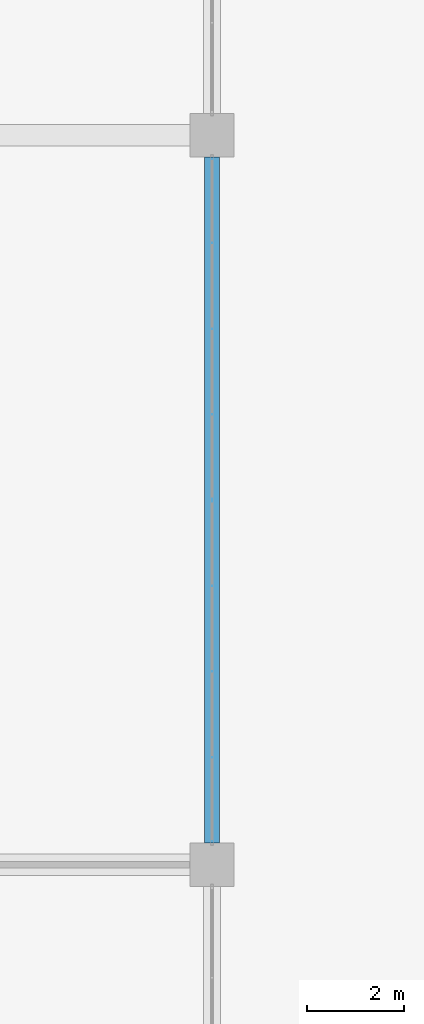
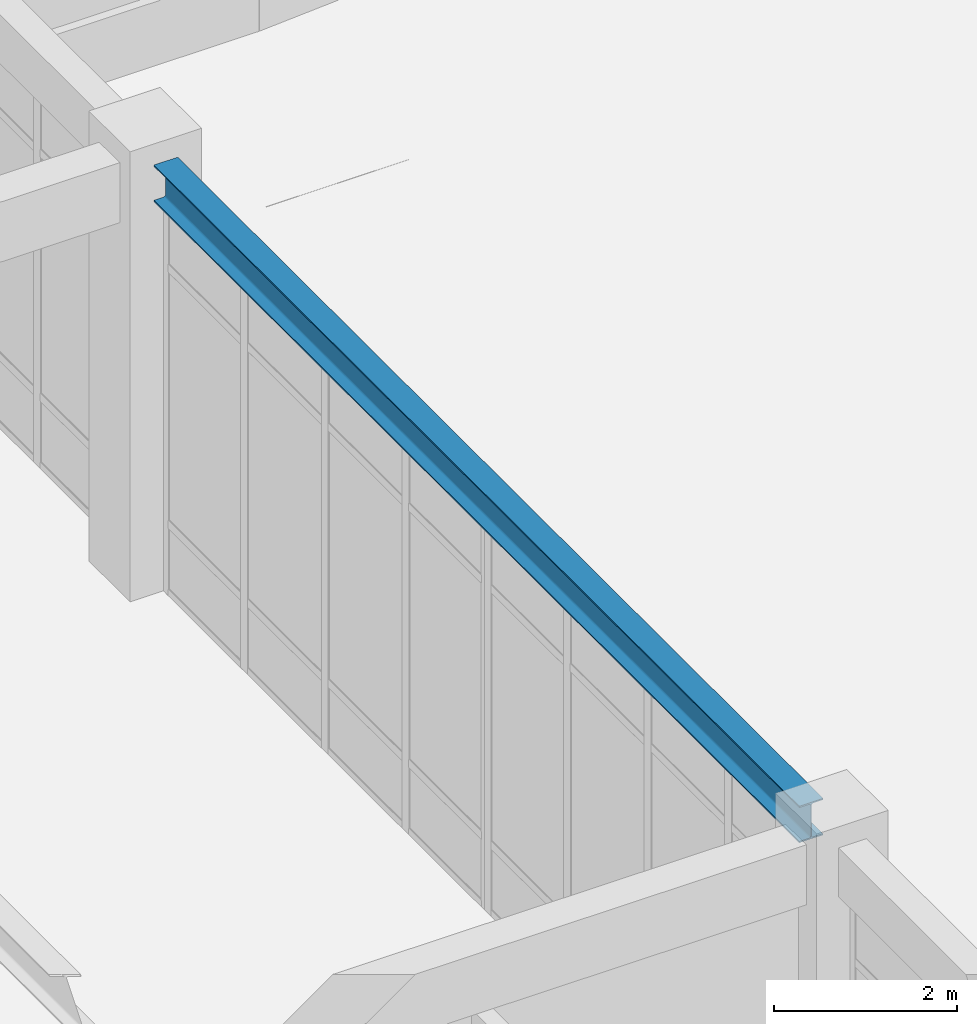
# One storey, part 39 of 82: 1 beam.
"""IFC4 building model written with IfcOpenShell, lengths in metres."""

from ifc_helpers import new_model, si_unit, derived_unit, direction, frame, origin, origin_2d, place, context, subcontext, project, spatial, i_section, extrude, material, material_profile, profile_set, type_object, element, save


model = new_model("IFC4")

# Units and contexts
model_context = context("Model", 3, precision=1e-05, world=origin(), true_north=direction((0.0, 1.0)))
body_context = subcontext(model_context, "Body", "Model", "MODEL_VIEW")
ifc_project = project(units=[si_unit("LENGTHUNIT", "METRE"), si_unit("AREAUNIT", "SQUARE_METRE"), si_unit("VOLUMEUNIT", "CUBIC_METRE"), si_unit("PLANEANGLEUNIT", "RADIAN"), si_unit("MASSUNIT", "GRAM", prefix="KILO"), derived_unit("THERMALTRANSMITTANCEUNIT", [(si_unit("MASSUNIT", "GRAM", prefix="KILO"), 1), (si_unit("TIMEUNIT", "SECOND"), -3), (si_unit("THERMODYNAMICTEMPERATUREUNIT", "KELVIN"), -1)])], contexts=[model_context])

# Site, building, storey
site_placement = place(None, origin())
site = spatial("IfcSite", under=ifc_project, at=site_placement, CompositionType="ELEMENT")
building_placement = place(site_placement, origin())
building = spatial("IfcBuilding", under=site, at=building_placement, Name="Qinzheling Arcade Emporium", CompositionType="ELEMENT")
storey_placement = place(building_placement, origin())
storey = spatial("IfcBuildingStorey", under=building, at=storey_placement, Name="L01", CompositionType="ELEMENT", Elevation=0.0)

# Beam
ifc_material = material(Name="Structural steel Q355B", Category="steel")
ifc_material_profile = material_profile(ifc_material, i_section(OverallWidth=0.300048828125, OverallDepth=0.488037109375, WebThickness=0.010986328125, FlangeThickness=0.01806640625, FilletRadius=0.02197265625, at=origin_2d()), Name="HM 488x300x11x18", Category="steel")
ifc_profile_set = profile_set([ifc_material_profile], Name="Structural steel Q355B")
beam_type = type_object("IfcBeamType", Name="Atrium Bridge Girder HM488 Q355B", PredefinedType="USERDEFINED", material=ifc_profile_set)
beam_placement = place(storey_placement, frame((130.5, 50.85009765625, 5.47607421875), z_axis=(0.0, 1.0, 0.0), x_axis=(-1.0, 0.0, 0.0)))
element("IfcBeam", 1, at=beam_placement, inside=storey, type_object=beam_type, Name="Beam BM-L01-Y-16-G", ObjectType="TRANSFER_GIRDER", PredefinedType="USERDEFINED", context=body_context, shape_type="SweptSolid", body=[
    extrude(i_section(OverallWidth=0.300048828125, OverallDepth=0.488037109375, WebThickness=0.010986328125, FlangeThickness=0.01806640625, FilletRadius=0.02197265625, at=origin_2d()), origin(), (0.0, 0.0, 1.0), 14.099853515625),
])

save(model, "model.ifc")
